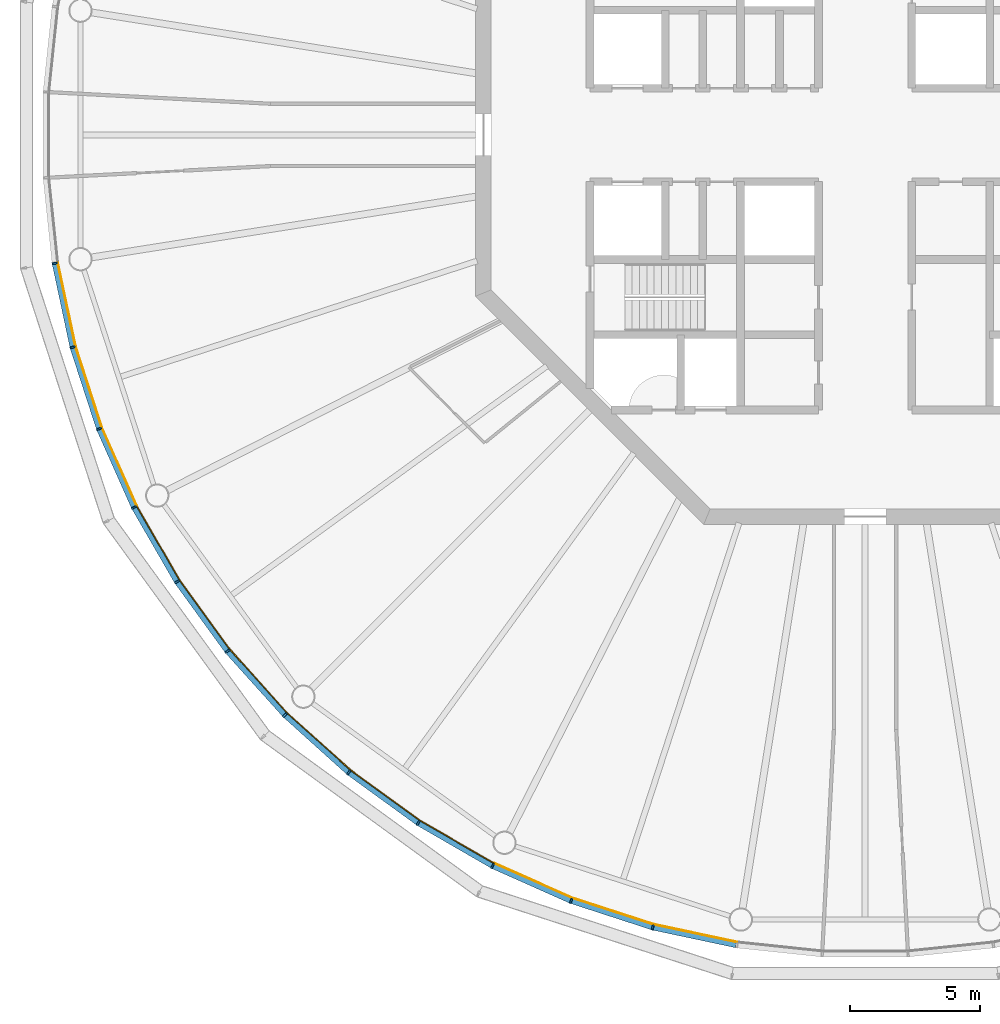
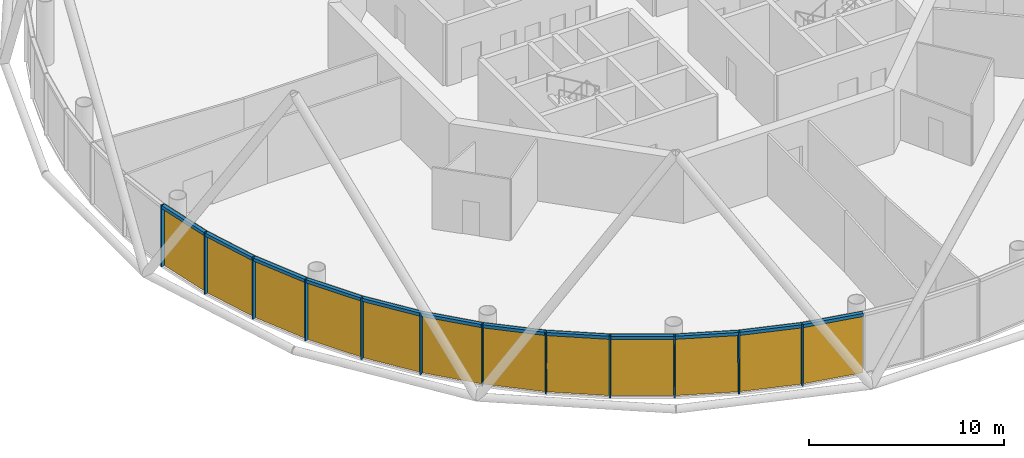
# One storey, part 7 of 13: 24 members, 4 curtain walls.
"""IFC4 building model written with IfcOpenShell, lengths in metres."""

from ifc_helpers import new_model, si_unit, direction, frame, origin, origin_2d, place, context, subcontext, project, spatial, polyline, rectangle, outline, extrude, material, layer, layer_set, material_profile, profile_set, type_object, element, aggregate, save


model = new_model("IFC4")

# Units and contexts
model_context = context("Model", 3, precision=1e-05, world=origin(), true_north=direction((0.0, 1.0)))
body_context = subcontext(model_context, "Body", "Model", "MODEL_VIEW")
ifc_project = project(units=[si_unit("LENGTHUNIT", "METRE"), si_unit("AREAUNIT", "SQUARE_METRE"), si_unit("VOLUMEUNIT", "CUBIC_METRE"), si_unit("PLANEANGLEUNIT", "RADIAN"), si_unit("MASSUNIT", "GRAM", prefix="KILO")], contexts=[model_context])

# Member
ifc_material_1 = material(Name="Anodised aluminium", Category="aluminium")
ifc_material_profile_1 = material_profile(ifc_material_1, rectangle(XDim=0.070068359375, YDim=0.205078125, at=origin_2d()), Name="Mullion 70 x 205 mm anodised aluminium")
ifc_profile_set_1 = profile_set([ifc_material_profile_1], Name="Anodised aluminium")
member_type_1 = type_object("IfcMemberType", Name="Mullion 70 x 205 mm anodised aluminium", PredefinedType="MULLION", material=ifc_profile_set_1)
site_placement = place(None, origin())
building_placement = place(site_placement, origin())
storey_placement = place(building_placement, frame((0.0, 0.0, 356.0)))
member_1_placement = place(storey_placement, frame((58.78662109375, 75.056396484375, 0.0), z_axis=(0.0, 0.0, 1.0), x_axis=(0.15643446504, -0.987688340595, 0.0)))
member_1 = element("IfcMember", 1, at=member_1_placement, type_object=member_type_1, Name="MULLION L82-30", PredefinedType="MULLION", context=body_context, shape_type="SweptSolid", body=[
    extrude(rectangle(XDim=0.070068359375, YDim=0.205078125, at=origin_2d()), origin(), (0.0, 0.0, 1.0), 3.85009765625),
])

member_2_placement = place(storey_placement, frame((59.474365234375, 71.820556640625, 0.0), z_axis=(0.0, 0.0, 1.0), x_axis=(0.258819045103, -0.965925826289, 0.0)))
member_2 = element("IfcMember", 2, at=member_2_placement, type_object=member_type_1, Name="MULLION L82-31", PredefinedType="MULLION", context=body_context, shape_type="SweptSolid", body=[
    extrude(rectangle(XDim=0.070068359375, YDim=0.205078125, at=origin_2d()), origin(), (0.0, 0.0, 1.0), 3.85009765625),
])

member_3_placement = place(storey_placement, frame((60.49658203125, 68.674560546875, 0.0), z_axis=(0.0, 0.0, 1.0), x_axis=(0.358367949545, -0.933580426497, 0.0)))
member_3 = element("IfcMember", 3, at=member_3_placement, type_object=member_type_1, Name="MULLION L82-32", PredefinedType="MULLION", context=body_context, shape_type="SweptSolid", body=[
    extrude(rectangle(XDim=0.070068359375, YDim=0.205078125, at=origin_2d()), origin(), (0.0, 0.0, 1.0), 3.85009765625),
])

member_4_placement = place(storey_placement, frame((61.842041015625, 65.65283203125, 0.0), z_axis=(0.0, 0.0, 1.0), x_axis=(0.45399049974, -0.891006524188, 0.0)))
member_4 = element("IfcMember", 4, at=member_4_placement, type_object=member_type_1, Name="MULLION L82-33", PredefinedType="MULLION", context=body_context, shape_type="SweptSolid", body=[
    extrude(rectangle(XDim=0.070068359375, YDim=0.205078125, at=origin_2d()), origin(), (0.0, 0.0, 1.0), 3.85009765625),
])

member_5_placement = place(storey_placement, frame((63.495849609375, 62.7880859375, 0.0), z_axis=(0.0, 0.0, 1.0), x_axis=(0.544639035015, -0.838670567945, 0.0)))
member_5 = element("IfcMember", 5, at=member_5_placement, type_object=member_type_1, Name="MULLION L82-34", PredefinedType="MULLION", context=body_context, shape_type="SweptSolid", body=[
    extrude(rectangle(XDim=0.070068359375, YDim=0.205078125, at=origin_2d()), origin(), (0.0, 0.0, 1.0), 3.85009765625),
])

member_6_placement = place(storey_placement, frame((65.440185546875, 60.11181640625, 0.0), z_axis=(0.0, 0.0, 1.0), x_axis=(0.62932039105, -0.777145961457, 0.0)))
member_6 = element("IfcMember", 6, at=member_6_placement, type_object=member_type_1, Name="MULLION L82-35", PredefinedType="MULLION", context=body_context, shape_type="SweptSolid", body=[
    extrude(rectangle(XDim=0.070068359375, YDim=0.205078125, at=origin_2d()), origin(), (0.0, 0.0, 1.0), 3.85009765625),
])

member_7_placement = place(storey_placement, frame((67.653564453125, 57.653564453125, 0.0), z_axis=(0.0, 0.0, 1.0), x_axis=(0.707106781187, -0.707106781187, 0.0)))
member_7 = element("IfcMember", 7, at=member_7_placement, type_object=member_type_1, Name="MULLION L82-36", PredefinedType="MULLION", context=body_context, shape_type="SweptSolid", body=[
    extrude(rectangle(XDim=0.070068359375, YDim=0.205078125, at=origin_2d()), origin(), (0.0, 0.0, 1.0), 3.85009765625),
])

member_8_placement = place(storey_placement, frame((70.11181640625, 55.440185546875, 0.0), z_axis=(0.0, 0.0, 1.0), x_axis=(0.777145961457, -0.62932039105, 0.0)))
member_8 = element("IfcMember", 8, at=member_8_placement, type_object=member_type_1, Name="MULLION L82-37", PredefinedType="MULLION", context=body_context, shape_type="SweptSolid", body=[
    extrude(rectangle(XDim=0.070068359375, YDim=0.205078125, at=origin_2d()), origin(), (0.0, 0.0, 1.0), 3.85009765625),
])

member_9_placement = place(storey_placement, frame((72.7880859375, 53.495849609375, 0.0), z_axis=(0.0, 0.0, 1.0), x_axis=(0.838670567945, -0.544639035015, 0.0)))
member_9 = element("IfcMember", 9, at=member_9_placement, type_object=member_type_1, Name="MULLION L82-38", PredefinedType="MULLION", context=body_context, shape_type="SweptSolid", body=[
    extrude(rectangle(XDim=0.070068359375, YDim=0.205078125, at=origin_2d()), origin(), (0.0, 0.0, 1.0), 3.85009765625),
])

member_10_placement = place(storey_placement, frame((75.65283203125, 51.842041015625, 0.0), z_axis=(0.0, 0.0, 1.0), x_axis=(0.891006524188, -0.45399049974, 0.0)))
member_10 = element("IfcMember", 10, at=member_10_placement, type_object=member_type_1, Name="MULLION L82-39", PredefinedType="MULLION", context=body_context, shape_type="SweptSolid", body=[
    extrude(rectangle(XDim=0.070068359375, YDim=0.205078125, at=origin_2d()), origin(), (0.0, 0.0, 1.0), 3.85009765625),
])

member_11_placement = place(storey_placement, frame((78.674560546875, 50.49658203125, 0.0), z_axis=(0.0, 0.0, 1.0), x_axis=(0.933580426497, -0.358367949545, 0.0)))
member_11 = element("IfcMember", 11, at=member_11_placement, type_object=member_type_1, Name="MULLION L82-40", PredefinedType="MULLION", context=body_context, shape_type="SweptSolid", body=[
    extrude(rectangle(XDim=0.070068359375, YDim=0.205078125, at=origin_2d()), origin(), (0.0, 0.0, 1.0), 3.85009765625),
])

member_12_placement = place(storey_placement, frame((81.820556640625, 49.474365234375, 0.0), z_axis=(0.0, 0.0, 1.0), x_axis=(0.965925826289, -0.258819045103, 0.0)))
member_12 = element("IfcMember", 12, at=member_12_placement, type_object=member_type_1, Name="MULLION L82-41", PredefinedType="MULLION", context=body_context, shape_type="SweptSolid", body=[
    extrude(rectangle(XDim=0.070068359375, YDim=0.205078125, at=origin_2d()), origin(), (0.0, 0.0, 1.0), 3.85009765625),
])

ifc_material_2 = material(Name="Anodised aluminium", Category="aluminium")
ifc_material_profile_2 = material_profile(ifc_material_2, rectangle(XDim=0.205078125, YDim=0.195068359375, at=origin_2d()), Name="Transom 195 x 205 mm anodised aluminium")
ifc_profile_set_2 = profile_set([ifc_material_profile_2], Name="Anodised aluminium")
member_type_2 = type_object("IfcMemberType", Name="Transom 195 x 205 mm anodised aluminium", PredefinedType="USERDEFINED", material=ifc_profile_set_2)
member_13_placement = place(storey_placement, frame((58.794921875, 75.016845703125, 3.75244140625), z_axis=(0.207885898771, -0.978153082647, 0.0), x_axis=(0.978153082647, 0.207885898771, 0.0)))
member_13 = element("IfcMember", 13, at=member_13_placement, type_object=member_type_2, Name="TRANSOM L82-30", ObjectType="TRANSOM", PredefinedType="USERDEFINED", context=body_context, shape_type="SweptSolid", body=[
    extrude(rectangle(XDim=0.205078125, YDim=0.195068359375, at=origin_2d()), origin(), (0.0, 0.0, 1.0), 3.227294921875),
])

member_14_placement = place(storey_placement, frame((59.486572265625, 71.7822265625, 3.75244140625), z_axis=(0.309046726844, -0.951046855117, 0.0), x_axis=(0.951046855117, 0.309046726844, 0.0)))
member_14 = element("IfcMember", 14, at=member_14_placement, type_object=member_type_2, Name="TRANSOM L82-31", ObjectType="TRANSOM", PredefinedType="USERDEFINED", context=body_context, shape_type="SweptSolid", body=[
    extrude(rectangle(XDim=0.205078125, YDim=0.195068359375, at=origin_2d()), origin(), (0.0, 0.0, 1.0), 3.22705078125),
])

member_15_placement = place(storey_placement, frame((60.5126953125, 68.6376953125, 3.75244140625), z_axis=(0.406791170024, -0.913521178731, 0.0), x_axis=(0.913521178731, 0.406791170024, 0.0)))
member_15 = element("IfcMember", 15, at=member_15_placement, type_object=member_type_2, Name="TRANSOM L82-32", ObjectType="TRANSOM", PredefinedType="USERDEFINED", context=body_context, shape_type="SweptSolid", body=[
    extrude(rectangle(XDim=0.205078125, YDim=0.195068359375, at=origin_2d()), origin(), (0.0, 0.0, 1.0), 3.22705078125),
])

member_16_placement = place(storey_placement, frame((61.862060546875, 65.61767578125, 3.75244140625), z_axis=(0.500004055213, -0.866023062494, 0.0), x_axis=(0.866023062494, 0.500004055213, 0.0)))
member_16 = element("IfcMember", 16, at=member_16_placement, type_object=member_type_2, Name="TRANSOM L82-33", ObjectType="TRANSOM", PredefinedType="USERDEFINED", context=body_context, shape_type="SweptSolid", body=[
    extrude(rectangle(XDim=0.205078125, YDim=0.195068359375, at=origin_2d()), origin(), (0.0, 0.0, 1.0), 3.22705078125),
])

member_17_placement = place(storey_placement, frame((63.51953125, 62.75537109375, 3.75244140625), z_axis=(0.587802790201, -0.809004252048, 0.0), x_axis=(0.809004252048, 0.587802790201, 0.0)))
member_17 = element("IfcMember", 17, at=member_17_placement, type_object=member_type_2, Name="TRANSOM L82-34", ObjectType="TRANSOM", PredefinedType="USERDEFINED", context=body_context, shape_type="SweptSolid", body=[
    extrude(rectangle(XDim=0.205078125, YDim=0.195068359375, at=origin_2d()), origin(), (0.0, 0.0, 1.0), 3.227294921875),
])

member_18_placement = place(storey_placement, frame((65.467041015625, 60.081787109375, 3.75244140625), z_axis=(0.669144438484, -0.743132370743, 0.0), x_axis=(0.743132370743, 0.669144438484, 0.0)))
member_18 = element("IfcMember", 18, at=member_18_placement, type_object=member_type_2, Name="TRANSOM L82-35", ObjectType="TRANSOM", PredefinedType="USERDEFINED", context=body_context, shape_type="SweptSolid", body=[
    extrude(rectangle(XDim=0.205078125, YDim=0.195068359375, at=origin_2d()), origin(), (0.0, 0.0, 1.0), 3.22705078125),
])

member_19_placement = place(storey_placement, frame((67.68359375, 57.62646484375, 3.75244140625), z_axis=(0.743132370743, -0.669144438484, 0.0), x_axis=(0.669144438484, 0.743132370743, 0.0)))
member_19 = element("IfcMember", 19, at=member_19_placement, type_object=member_type_2, Name="TRANSOM L82-36", ObjectType="TRANSOM", PredefinedType="USERDEFINED", context=body_context, shape_type="SweptSolid", body=[
    extrude(rectangle(XDim=0.205078125, YDim=0.195068359375, at=origin_2d()), origin(), (0.0, 0.0, 1.0), 3.22705078125),
])

member_20_placement = place(storey_placement, frame((70.14453125, 55.41650390625, 3.75244140625), z_axis=(0.809004252048, -0.587802790201, 0.0), x_axis=(0.587802790201, 0.809004252048, 0.0)))
member_20 = element("IfcMember", 20, at=member_20_placement, type_object=member_type_2, Name="TRANSOM L82-37", ObjectType="TRANSOM", PredefinedType="USERDEFINED", context=body_context, shape_type="SweptSolid", body=[
    extrude(rectangle(XDim=0.205078125, YDim=0.195068359375, at=origin_2d()), origin(), (0.0, 0.0, 1.0), 3.227294921875),
])

member_21_placement = place(storey_placement, frame((72.822998046875, 53.4755859375, 3.75244140625), z_axis=(0.866023062494, -0.500004055213, 0.0), x_axis=(0.500004055213, 0.866023062494, 0.0)))
member_21 = element("IfcMember", 21, at=member_21_placement, type_object=member_type_2, Name="TRANSOM L82-38", ObjectType="TRANSOM", PredefinedType="USERDEFINED", context=body_context, shape_type="SweptSolid", body=[
    extrude(rectangle(XDim=0.205078125, YDim=0.195068359375, at=origin_2d()), origin(), (0.0, 0.0, 1.0), 3.22705078125),
])

member_22_placement = place(storey_placement, frame((75.689697265625, 51.825439453125, 3.75244140625), z_axis=(0.913521178731, -0.406791170024, 0.0), x_axis=(0.406791170024, 0.913521178731, 0.0)))
member_22 = element("IfcMember", 22, at=member_22_placement, type_object=member_type_2, Name="TRANSOM L82-39", ObjectType="TRANSOM", PredefinedType="USERDEFINED", context=body_context, shape_type="SweptSolid", body=[
    extrude(rectangle(XDim=0.205078125, YDim=0.195068359375, at=origin_2d()), origin(), (0.0, 0.0, 1.0), 3.22705078125),
])

member_23_placement = place(storey_placement, frame((78.713134765625, 50.48388671875, 3.75244140625), z_axis=(0.951046855117, -0.309046726844, 0.0), x_axis=(0.309046726844, 0.951046855117, 0.0)))
member_23 = element("IfcMember", 23, at=member_23_placement, type_object=member_type_2, Name="TRANSOM L82-40", ObjectType="TRANSOM", PredefinedType="USERDEFINED", context=body_context, shape_type="SweptSolid", body=[
    extrude(rectangle(XDim=0.205078125, YDim=0.195068359375, at=origin_2d()), origin(), (0.0, 0.0, 1.0), 3.22705078125),
])

member_24_placement = place(storey_placement, frame((81.860107421875, 49.4658203125, 3.75244140625), z_axis=(0.978153082647, -0.207885898771, 0.0), x_axis=(0.207885898771, 0.978153082647, 0.0)))
member_24 = element("IfcMember", 24, at=member_24_placement, type_object=member_type_2, Name="TRANSOM L82-41", ObjectType="TRANSOM", PredefinedType="USERDEFINED", context=body_context, shape_type="SweptSolid", body=[
    extrude(rectangle(XDim=0.205078125, YDim=0.195068359375, at=origin_2d()), origin(), (0.0, 0.0, 1.0), 3.227294921875),
])

# Site, building, storey
site = spatial("IfcSite", under=ifc_project, at=site_placement, CompositionType="ELEMENT")
building = spatial("IfcBuilding", under=site, at=building_placement, Name="Entoto Ring Tower", CompositionType="ELEMENT")
storey = spatial("IfcBuildingStorey", under=building, at=storey_placement, Name="L82", CompositionType="ELEMENT", Elevation=356.0)

# Curtain wall
ifc_material_3 = material(Name="Clear low-iron glass", Category="glass")
ifc_layer = layer(ifc_material_3, 0.035888671875)
ifc_layer_set = layer_set([ifc_layer], Name="Clear low-iron glass")
curtain_wall_type = type_object("IfcCurtainWallType", Name="Curtain wall system CW6 glazing 36 mm", PredefinedType="NOTDEFINED", material=ifc_layer_set)
curtain_wall_1_placement = place(storey_placement, origin())
curtain_wall_1 = element("IfcCurtainWall", 25, at=curtain_wall_1_placement, inside=storey, type_object=curtain_wall_type, Name="CW6 L82-11", PredefinedType="NOTDEFINED", context=body_context, shape_type="SweptSolid", body=[
    extrude(outline(polyline([(58.8876953125, 75.072265625), (59.5732421875, 71.84716796875), (60.59228515625, 68.71142578125), (61.933349609375, 65.69921875), (61.96533203125, 65.715576171875), (60.6259765625, 68.724365234375), (59.608154296875, 71.8564453125), (58.92333984375, 75.077880859375), (58.8876953125, 75.072265625)])), origin(), (0.0, 0.0, 1.0), 3.85009765625),
])

aggregate(curtain_wall_1, [member_1, member_2, member_3, member_13, member_14, member_15])

curtain_wall_2_placement = place(storey_placement, origin())
curtain_wall_2 = element("IfcCurtainWall", 26, at=curtain_wall_2_placement, inside=storey, type_object=curtain_wall_type, Name="CW6 L82-12", PredefinedType="NOTDEFINED", context=body_context, shape_type="SweptSolid", body=[
    extrude(outline(polyline([(61.933349609375, 65.69921875), (63.581787109375, 62.84375), (65.52001953125, 60.176513671875), (67.72607421875, 57.72607421875), (67.751708984375, 57.751708984375), (65.5478515625, 60.198974609375), (63.612060546875, 62.863525390625), (61.96533203125, 65.715576171875), (61.933349609375, 65.69921875)])), origin(), (0.0, 0.0, 1.0), 3.85009765625),
])

aggregate(curtain_wall_2, [member_4, member_5, member_6, member_16, member_17, member_18])

curtain_wall_3_placement = place(storey_placement, origin())
curtain_wall_3 = element("IfcCurtainWall", 27, at=curtain_wall_3_placement, inside=storey, type_object=curtain_wall_type, Name="CW6 L82-13", PredefinedType="NOTDEFINED", context=body_context, shape_type="SweptSolid", body=[
    extrude(outline(polyline([(67.72607421875, 57.72607421875), (70.176513671875, 55.52001953125), (72.84375, 53.581787109375), (75.69921875, 51.933349609375), (75.715576171875, 51.96533203125), (72.863525390625, 53.612060546875), (70.198974609375, 55.5478515625), (67.751708984375, 57.751708984375), (67.72607421875, 57.72607421875)])), origin(), (0.0, 0.0, 1.0), 3.85009765625),
])

aggregate(curtain_wall_3, [member_7, member_8, member_9, member_19, member_20, member_21])

curtain_wall_4_placement = place(storey_placement, origin())
curtain_wall_4 = element("IfcCurtainWall", 28, at=curtain_wall_4_placement, inside=storey, type_object=curtain_wall_type, Name="CW6 L82-14", PredefinedType="NOTDEFINED", context=body_context, shape_type="SweptSolid", body=[
    extrude(outline(polyline([(75.69921875, 51.933349609375), (78.71142578125, 50.59228515625), (81.84716796875, 49.5732421875), (85.072265625, 48.8876953125), (85.077880859375, 48.92333984375), (81.8564453125, 49.608154296875), (78.724365234375, 50.6259765625), (75.715576171875, 51.96533203125), (75.69921875, 51.933349609375)])), origin(), (0.0, 0.0, 1.0), 3.85009765625),
])

aggregate(curtain_wall_4, [member_10, member_11, member_12, member_22, member_23, member_24])

save(model, "model.ifc")
